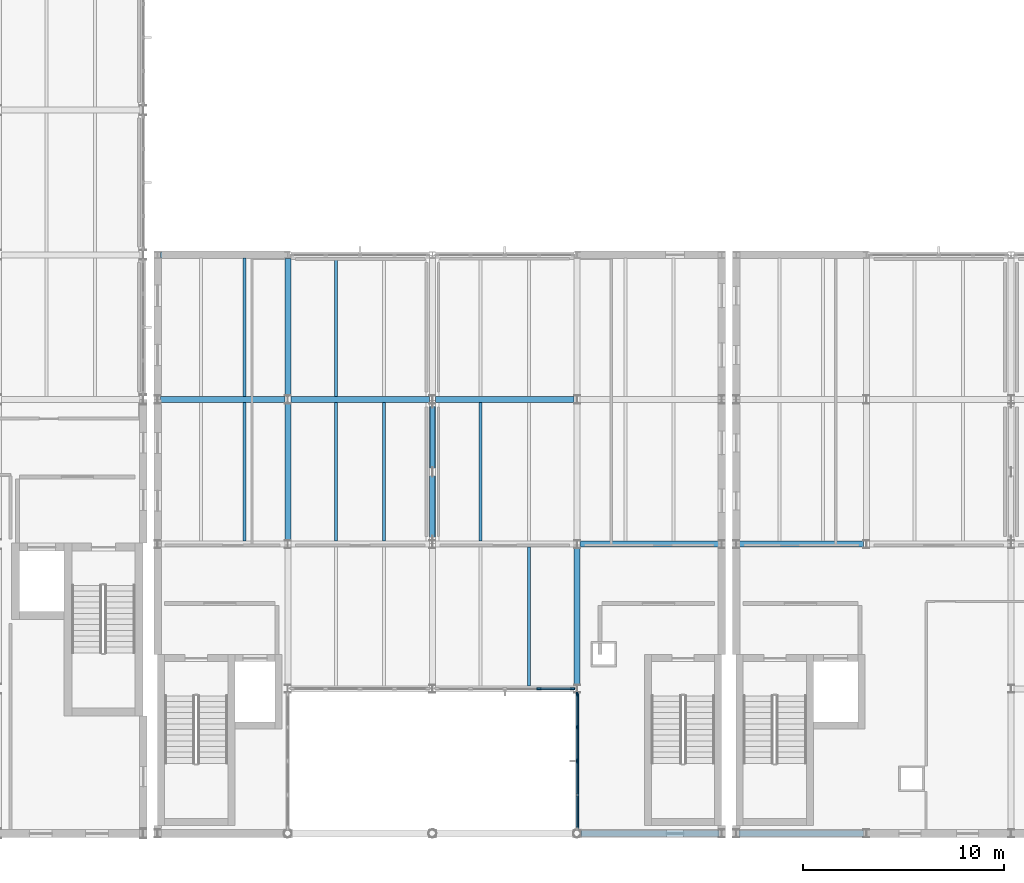
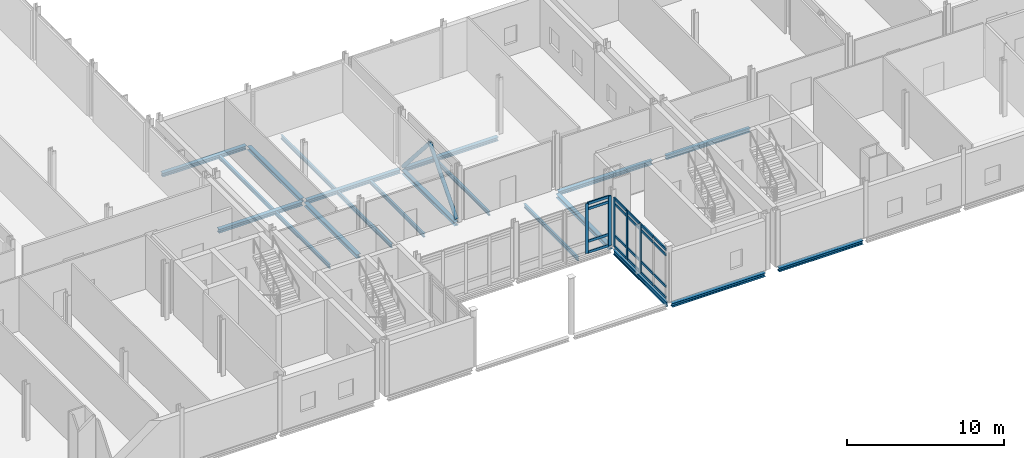
# One storey, part 15 of 76: 27 members, 20 beams, 2 elements without a shape of their own.
"""IFC4 building model written with IfcOpenShell, lengths in metres."""

from ifc_helpers import new_model, si_unit, direction, frame, origin, origin_2d, place, context, subcontext, project, spatial, rectangle, hollow_circle, i_section, extrude, material, layer, layer_set, material_profile, profile_set, type_object, element, aggregate, save


model = new_model("IFC4")

# Units and contexts
model_context = context("Model", 3, precision=1e-05, world=origin(), true_north=direction((0.0, 1.0)))
body_context = subcontext(model_context, "Body", "Model", "MODEL_VIEW")
ifc_project = project(units=[si_unit("LENGTHUNIT", "METRE"), si_unit("AREAUNIT", "SQUARE_METRE"), si_unit("VOLUMEUNIT", "CUBIC_METRE"), si_unit("PLANEANGLEUNIT", "RADIAN"), si_unit("MASSUNIT", "GRAM", prefix="KILO")], contexts=[model_context])

# Site, building, storey
site_placement = place(None, origin())
site = spatial("IfcSite", under=ifc_project, at=site_placement, CompositionType="ELEMENT")
building_placement = place(site_placement, origin())
building = spatial("IfcBuilding", under=site, at=building_placement, Name="Zarrinpeak Specialist Clinic", CompositionType="ELEMENT")
storey_placement = place(building_placement, frame((0.0, 0.0, 5.199951171875)))
storey = spatial("IfcBuildingStorey", under=building, at=storey_placement, Name="L01", CompositionType="ELEMENT", Elevation=5.199951171875)

# Beams
ifc_material_1 = material(Name="Steel S355", Category="steel")
ifc_material_profile_1 = material_profile(ifc_material_1, i_section(OverallWidth=0.300048828125, OverallDepth=0.2900390625, WebThickness=0.008544921875, FlangeThickness=0.013916015625, FilletRadius=0.027099609375, at=origin_2d()), Name="HEA 300")
ifc_profile_set_1 = profile_set([ifc_material_profile_1], Name="Steel S355")
beam_type_1 = type_object("IfcBeamType", Name="BM-HEA300", PredefinedType="BEAM", material=ifc_profile_set_1)
beam_1_placement = place(storey_placement, frame((50.601318359375, 0.0, -0.375), z_axis=(1.0, 0.0, 0.0), x_axis=(0.0, 1.0, 0.0)))
element("IfcBeam", 1, at=beam_1_placement, inside=storey, type_object=beam_type_1, Name="L01 Primary Floor Girder BM-L01-X0719", PredefinedType="BEAM", context=body_context, shape_type="SweptSolid", body=[
    extrude(i_section(OverallWidth=0.300048828125, OverallDepth=0.2900390625, WebThickness=0.008544921875, FlangeThickness=0.013916015625, FilletRadius=0.027099609375, at=origin_2d()), origin(), (0.0, 0.0, 1.0), 6.8505859375),
])
beam_2_placement = place(storey_placement, frame((58.468017578125, 0.0, -0.375), z_axis=(1.0, 0.0, 0.0), x_axis=(0.0, 1.0, 0.0)))
element("IfcBeam", 2, at=beam_2_placement, inside=storey, type_object=beam_type_1, Name="L01 Primary Floor Girder BM-L01-X0720", PredefinedType="BEAM", context=body_context, shape_type="SweptSolid", body=[
    extrude(i_section(OverallWidth=0.300048828125, OverallDepth=0.2900390625, WebThickness=0.008544921875, FlangeThickness=0.013916015625, FilletRadius=0.027099609375, at=origin_2d()), origin(), (0.0, 0.0, 1.0), 6.18408203125),
])
beam_3_placement = place(storey_placement, frame((50.548095703125, 14.39990234375, -0.375), z_axis=(1.0, 0.0, 0.0), x_axis=(0.0, 1.0, 0.0)))
element("IfcBeam", 3, at=beam_3_placement, inside=storey, type_object=beam_type_1, Name="L01 Primary Floor Girder BM-L01-X0734", PredefinedType="BEAM", context=body_context, shape_type="SweptSolid", body=[
    extrude(i_section(OverallWidth=0.300048828125, OverallDepth=0.2900390625, WebThickness=0.008544921875, FlangeThickness=0.013916015625, FilletRadius=0.027099609375, at=origin_2d()), origin(), (0.0, 0.0, 1.0), 6.90380859375),
])
for number, where, z_axis, x_axis, name in (
    (4, (58.468017578125, 14.39990234375, -0.375), (1.0, 0.0, 0.0), (0.0, 1.0, 0.0), "L01 Primary Floor Girder BM-L01-X0735"),
    (5, (29.66796875, 21.60009765625, -0.375), (1.0, 0.0, 0.0), (0.0, 1.0, 0.0), "L01 Primary Floor Girder BM-L01-X0743"),
):
    element("IfcBeam", number, at=place(storey_placement, frame(where, z_axis=z_axis, x_axis=x_axis)), inside=storey, type_object=beam_type_1, Name=name, PredefinedType="BEAM", context=body_context, shape_type="SweptSolid", body=[
        extrude(i_section(OverallWidth=0.300048828125, OverallDepth=0.2900390625, WebThickness=0.008544921875, FlangeThickness=0.013916015625, FilletRadius=0.027099609375, at=origin_2d()), origin(), (0.0, 0.0, 1.0), 6.18408203125),
    ])
for number, where, z_axis, x_axis, name in (
    (6, (36.14794921875, 21.60009765625, -0.375), (1.0, 0.0, 0.0), (0.0, 1.0, 0.0), "L01 Primary Floor Girder BM-L01-X0744"),
    (7, (43.347900390625, 21.60009765625, -0.375), (1.0, 0.0, 0.0), (0.0, 1.0, 0.0), "L01 Primary Floor Girder BM-L01-X0745"),
):
    element("IfcBeam", number, at=place(storey_placement, frame(where, z_axis=z_axis, x_axis=x_axis)), inside=storey, type_object=beam_type_1, Name=name, PredefinedType="BEAM", context=body_context, shape_type="SweptSolid", body=[
        extrude(i_section(OverallWidth=0.300048828125, OverallDepth=0.2900390625, WebThickness=0.008544921875, FlangeThickness=0.013916015625, FilletRadius=0.027099609375, at=origin_2d()), origin(), (0.0, 0.0, 1.0), 6.904052734375),
    ])
beam_4_placement = place(storey_placement, frame((29.66796875, 28.800048828125, -0.375), z_axis=(1.0, 0.0, 0.0), x_axis=(0.0, 1.0, 0.0)))
element("IfcBeam", 8, at=beam_4_placement, inside=storey, type_object=beam_type_1, Name="L01 Primary Floor Girder BM-L01-X0755", PredefinedType="BEAM", context=body_context, shape_type="SweptSolid", body=[
    extrude(i_section(OverallWidth=0.300048828125, OverallDepth=0.2900390625, WebThickness=0.008544921875, FlangeThickness=0.013916015625, FilletRadius=0.027099609375, at=origin_2d()), origin(), (0.0, 0.0, 1.0), 6.18408203125),
])
beam_5_placement = place(storey_placement, frame((36.0, 14.623046875, -0.375), z_axis=(0.0, 1.0, 0.0), x_axis=(-1.0, 0.0, 0.0)))
element("IfcBeam", 9, at=beam_5_placement, inside=storey, type_object=beam_type_1, Name="L01 Primary Beam BM-L01-Y0885", PredefinedType="BEAM", context=body_context, shape_type="SweptSolid", body=[
    extrude(i_section(OverallWidth=0.300048828125, OverallDepth=0.2900390625, WebThickness=0.008544921875, FlangeThickness=0.013916015625, FilletRadius=0.027099609375, at=origin_2d()), origin(), (0.0, 0.0, 1.0), 6.75390625),
])
beam_6_placement = place(storey_placement, frame((36.0, 21.822998046875, -0.375), z_axis=(0.0, 1.0, 0.0), x_axis=(-1.0, 0.0, 0.0)))
element("IfcBeam", 10, at=beam_6_placement, inside=storey, type_object=beam_type_1, Name="L01 Primary Beam BM-L01-Y0886", PredefinedType="BEAM", context=body_context, shape_type="SweptSolid", body=[
    extrude(i_section(OverallWidth=0.300048828125, OverallDepth=0.2900390625, WebThickness=0.008544921875, FlangeThickness=0.013916015625, FilletRadius=0.027099609375, at=origin_2d()), origin(), (0.0, 0.0, 1.0), 6.799072265625),
])
for number, where, z_axis, x_axis, name in (
    (11, (43.199951171875, 14.623046875, -0.375), (0.0, 1.0, 0.0), (-1.0, 0.0, 0.0), "L01 Primary Beam BM-L01-Y0891"),
    (12, (50.39990234375, 7.423095703125, -0.375), (0.0, 1.0, 0.0), (-1.0, 0.0, 0.0), "L01 Primary Beam BM-L01-Y0899"),
):
    element("IfcBeam", number, at=place(storey_placement, frame(where, z_axis=z_axis, x_axis=x_axis)), inside=storey, type_object=beam_type_1, Name=name, PredefinedType="BEAM", context=body_context, shape_type="SweptSolid", body=[
        extrude(i_section(OverallWidth=0.300048828125, OverallDepth=0.2900390625, WebThickness=0.008544921875, FlangeThickness=0.013916015625, FilletRadius=0.027099609375, at=origin_2d()), origin(), (0.0, 0.0, 1.0), 6.75390625),
    ])
ifc_material_profile_2 = material_profile(ifc_material_1, i_section(OverallWidth=0.14990234375, OverallDepth=0.300048828125, WebThickness=0.007080078125, FlangeThickness=0.0107421875, FilletRadius=0.014892578125, at=origin_2d()), Name="IPE 300")
ifc_profile_set_2 = profile_set([ifc_material_profile_2], Name="Steel S355")
beam_type_2 = type_object("IfcBeamType", Name="BM-JST300", PredefinedType="JOIST", material=ifc_profile_set_2)
beam_7_placement = place(storey_placement, frame((33.840087890625, 14.548095703125, -0.3798828125), z_axis=(0.0, 1.0, 0.0), x_axis=(-1.0, 0.0, 0.0)))
element("IfcBeam", 13, at=beam_7_placement, inside=storey, type_object=beam_type_2, Name="L01 Composite Floor Joist JST-L01-0990", PredefinedType="JOIST", context=body_context, shape_type="SweptSolid", body=[
    extrude(i_section(OverallWidth=0.14990234375, OverallDepth=0.300048828125, WebThickness=0.007080078125, FlangeThickness=0.0107421875, FilletRadius=0.014892578125, at=origin_2d()), origin(), (0.0, 0.0, 1.0), 6.90380859375),
])
beam_8_placement = place(storey_placement, frame((33.840087890625, 21.748046875, -0.3798828125), z_axis=(0.0, 1.0, 0.0), x_axis=(-1.0, 0.0, 0.0)))
element("IfcBeam", 14, at=beam_8_placement, inside=storey, type_object=beam_type_2, Name="L01 Composite Floor Joist JST-L01-0992", PredefinedType="JOIST", context=body_context, shape_type="SweptSolid", body=[
    extrude(i_section(OverallWidth=0.14990234375, OverallDepth=0.300048828125, WebThickness=0.007080078125, FlangeThickness=0.0107421875, FilletRadius=0.014892578125, at=origin_2d()), origin(), (0.0, 0.0, 1.0), 6.904052734375),
])
for number, where, z_axis, x_axis, name in (
    (15, (38.39990234375, 14.548095703125, -0.3798828125), (0.0, 1.0, 0.0), (-1.0, 0.0, 0.0), "L01 Composite Floor Joist JST-L01-0995"),
    (16, (40.800048828125, 14.548095703125, -0.3798828125), (0.0, 1.0, 0.0), (-1.0, 0.0, 0.0), "L01 Composite Floor Joist JST-L01-0996"),
):
    element("IfcBeam", number, at=place(storey_placement, frame(where, z_axis=z_axis, x_axis=x_axis)), inside=storey, type_object=beam_type_2, Name=name, PredefinedType="JOIST", context=body_context, shape_type="SweptSolid", body=[
        extrude(i_section(OverallWidth=0.14990234375, OverallDepth=0.300048828125, WebThickness=0.007080078125, FlangeThickness=0.0107421875, FilletRadius=0.014892578125, at=origin_2d()), origin(), (0.0, 0.0, 1.0), 6.90380859375),
    ])
for number, where, z_axis, x_axis, name in (
    (17, (38.39990234375, 21.748046875, -0.3798828125), (0.0, 1.0, 0.0), (-1.0, 0.0, 0.0), "L01 Composite Floor Joist JST-L01-0997"),
    (18, (48.0, 7.347900390625, -0.3798828125), (0.0, 1.0, 0.0), (-1.0, 0.0, 0.0), "L01 Composite Floor Joist JST-L01-1000"),
):
    element("IfcBeam", number, at=place(storey_placement, frame(where, z_axis=z_axis, x_axis=x_axis)), inside=storey, type_object=beam_type_2, Name=name, PredefinedType="JOIST", context=body_context, shape_type="SweptSolid", body=[
        extrude(i_section(OverallWidth=0.14990234375, OverallDepth=0.300048828125, WebThickness=0.007080078125, FlangeThickness=0.0107421875, FilletRadius=0.014892578125, at=origin_2d()), origin(), (0.0, 0.0, 1.0), 6.904052734375),
    ])
beam_9_placement = place(storey_placement, frame((45.60009765625, 14.548095703125, -0.3798828125), z_axis=(0.0, 1.0, 0.0), x_axis=(-1.0, 0.0, 0.0)))
element("IfcBeam", 19, at=beam_9_placement, inside=storey, type_object=beam_type_2, Name="L01 Composite Floor Joist JST-L01-1001", PredefinedType="JOIST", context=body_context, shape_type="SweptSolid", body=[
    extrude(i_section(OverallWidth=0.14990234375, OverallDepth=0.300048828125, WebThickness=0.007080078125, FlangeThickness=0.0107421875, FilletRadius=0.014892578125, at=origin_2d()), origin(), (0.0, 0.0, 1.0), 6.90380859375),
])
ifc_material_profile_3 = material_profile(ifc_material_1, i_section(OverallWidth=0.169921875, OverallDepth=0.360107421875, WebThickness=0.008056640625, FlangeThickness=0.0126953125, FilletRadius=0.01806640625, at=origin_2d()), Name="IPE 360")
ifc_profile_set_3 = profile_set([ifc_material_profile_3], Name="Steel S355")
beam_type_3 = type_object("IfcBeamType", Name="BM-SP360", PredefinedType="SPANDREL", material=ifc_profile_set_3)
beam_10_placement = place(storey_placement, frame((50.39990234375, 0.201171875, -0.409912109375), z_axis=(0.0, 1.0, 0.0), x_axis=(-1.0, 0.0, 0.0)))
element("IfcBeam", 20, at=beam_10_placement, inside=storey, type_object=beam_type_3, Name="L01 Perimeter Spandrel Beam BM-L01-Y0898", PredefinedType="SPANDREL", context=body_context, shape_type="SweptSolid", body=[
    extrude(i_section(OverallWidth=0.169921875, OverallDepth=0.360107421875, WebThickness=0.008056640625, FlangeThickness=0.0126953125, FilletRadius=0.01806640625, at=origin_2d()), origin(), (0.0, 0.0, 1.0), 6.77587890625),
])

# Curtain wall, members
ifc_material_2 = material(Name="Anodised Aluminium Alloy 6063-T6", Category="aluminium")
ifc_layer = layer(ifc_material_2, 0.18994140625)
ifc_layer_set = layer_set([ifc_layer], Name="Anodised Aluminium Alloy 6063-T6")
curtain_wall_type = type_object("IfcCurtainWallType", Name="CW-LOGGIA", PredefinedType="NOTDEFINED", material=ifc_layer_set)
curtain_wall_1_placement = place(storey_placement, origin())
curtain_wall_1 = element("IfcCurtainWall", 21, at=curtain_wall_1_placement, inside=storey, type_object=curtain_wall_type, Name="L01 V2 Unitised Curtain Wall CW-L01-V2-046", PredefinedType="NOTDEFINED")
ifc_material_profile_4 = material_profile(ifc_material_2, rectangle(XDim=0.090087890625, YDim=0.219970703125, at=origin_2d()), Name="ALU 90x220")
ifc_profile_set_4 = profile_set([ifc_material_profile_4], Name="Anodised Aluminium Alloy 6063-T6")
member_type_1 = type_object("IfcMemberType", Name="CWM-90", PredefinedType="MULLION", material=ifc_profile_set_4)
member_1_placement = place(storey_placement, frame((48.512451171875, 7.199951171875, 0.0), z_axis=(0.0, 0.0, 1.0), x_axis=(0.0, 1.0, 0.0)))
member_1 = element("IfcMember", 22, at=member_1_placement, type_object=member_type_1, Name="CW-04 mullion 4", PredefinedType="MULLION", context=body_context, shape_type="SweptSolid", body=[
    extrude(rectangle(XDim=0.090087890625, YDim=0.219970703125, at=origin_2d()), origin(), (0.0, 0.0, 1.0), 3.880126953125),
])
member_2_placement = place(storey_placement, frame((50.179931640625, 7.199951171875, 0.0), z_axis=(0.0, 0.0, 1.0), x_axis=(0.0, 1.0, 0.0)))
member_2 = element("IfcMember", 23, at=member_2_placement, type_object=member_type_1, Name="CW-04 mullion 5", PredefinedType="MULLION", context=body_context, shape_type="SweptSolid", body=[
    extrude(rectangle(XDim=0.090087890625, YDim=0.219970703125, at=origin_2d()), origin(), (0.0, 0.0, 1.0), 3.880126953125),
])

curtain_wall_2_placement = place(storey_placement, origin())
curtain_wall_2 = element("IfcCurtainWall", 24, at=curtain_wall_2_placement, inside=storey, type_object=curtain_wall_type, Name="L01 V2 Unitised Curtain Wall CW-L01-V2-048", PredefinedType="NOTDEFINED")
member_3_placement = place(storey_placement, frame((50.39990234375, 6.929931640625, 0.0), z_axis=(0.0, 0.0, 1.0), x_axis=(1.0, 0.0, 0.0)))
member_3 = element("IfcMember", 25, at=member_3_placement, type_object=member_type_1, Name="CW-04 mullion 1", PredefinedType="MULLION", context=body_context, shape_type="SweptSolid", body=[
    extrude(rectangle(XDim=0.090087890625, YDim=0.219970703125, at=origin_2d()), origin(), (0.0, 0.0, 1.0), 3.81005859375),
])
member_4_placement = place(storey_placement, frame((50.39990234375, 5.288330078125, 0.0), z_axis=(0.0, 0.0, 1.0), x_axis=(1.0, 0.0, 0.0)))
member_4 = element("IfcMember", 26, at=member_4_placement, type_object=member_type_1, Name="CW-04 mullion 2", PredefinedType="MULLION", context=body_context, shape_type="SweptSolid", body=[
    extrude(rectangle(XDim=0.090087890625, YDim=0.219970703125, at=origin_2d()), origin(), (0.0, 0.0, 1.0), 3.81005859375),
])
member_5_placement = place(storey_placement, frame((50.39990234375, 3.6015625, 0.0), z_axis=(0.0, 0.0, 1.0), x_axis=(1.0, 0.0, 0.0)))
member_5 = element("IfcMember", 27, at=member_5_placement, type_object=member_type_1, Name="CW-04 mullion 3", PredefinedType="MULLION", context=body_context, shape_type="SweptSolid", body=[
    extrude(rectangle(XDim=0.090087890625, YDim=0.219970703125, at=origin_2d()), origin(), (0.0, 0.0, 1.0), 3.81005859375),
])

# Member
ifc_material_profile_5 = material_profile(ifc_material_2, rectangle(XDim=0.090087890625, YDim=0.18994140625, at=origin_2d()), Name="ALU 90x190")
ifc_profile_set_5 = profile_set([ifc_material_profile_5], Name="Anodised Aluminium Alloy 6063-T6")
member_type_2 = type_object("IfcMemberType", Name="CWT-90", PredefinedType="USERDEFINED", material=ifc_profile_set_5)
member_6_placement = place(storey_placement, frame((48.5576171875, 7.199951171875, 0.045166015625), z_axis=(1.0, 0.0, 0.0), x_axis=(0.0, 1.0, 0.0)))
member_6 = element("IfcMember", 28, at=member_6_placement, type_object=member_type_2, Name="CW-04 transom 4.1", ObjectType="TRANSOM", PredefinedType="USERDEFINED", context=body_context, shape_type="SweptSolid", body=[
    extrude(rectangle(XDim=0.090087890625, YDim=0.18994140625, at=origin_2d()), origin(), (0.0, 0.0, 1.0), 1.577392578125),
])

member_7_placement = place(storey_placement, frame((48.5576171875, 7.199951171875, 0.900146484375), z_axis=(1.0, 0.0, 0.0), x_axis=(0.0, 1.0, 0.0)))
member_7 = element("IfcMember", 29, at=member_7_placement, type_object=member_type_2, Name="CW-04 transom 4.2", ObjectType="TRANSOM", PredefinedType="USERDEFINED", context=body_context, shape_type="SweptSolid", body=[
    extrude(rectangle(XDim=0.090087890625, YDim=0.18994140625, at=origin_2d()), origin(), (0.0, 0.0, 1.0), 1.577392578125),
])

member_8_placement = place(storey_placement, frame((48.5576171875, 7.199951171875, 3.429931640625), z_axis=(1.0, 0.0, 0.0), x_axis=(0.0, 1.0, 0.0)))
member_8 = element("IfcMember", 30, at=member_8_placement, type_object=member_type_2, Name="CW-04 transom 4.3", ObjectType="TRANSOM", PredefinedType="USERDEFINED", context=body_context, shape_type="SweptSolid", body=[
    extrude(rectangle(XDim=0.090087890625, YDim=0.18994140625, at=origin_2d()), origin(), (0.0, 0.0, 1.0), 1.577392578125),
])

member_9_placement = place(storey_placement, frame((48.5576171875, 7.199951171875, 3.8349609375), z_axis=(1.0, 0.0, 0.0), x_axis=(0.0, 1.0, 0.0)))
member_9 = element("IfcMember", 31, at=member_9_placement, type_object=member_type_2, Name="CW-04 transom 4.4", ObjectType="TRANSOM", PredefinedType="USERDEFINED", context=body_context, shape_type="SweptSolid", body=[
    extrude(rectangle(XDim=0.090087890625, YDim=0.18994140625, at=origin_2d()), origin(), (0.0, 0.0, 1.0), 1.577392578125),
])

aggregate(curtain_wall_1, [member_1, member_2, member_6, member_7, member_8, member_9])

member_10_placement = place(storey_placement, frame((50.39990234375, 6.885009765625, 0.045166015625), z_axis=(0.0, -1.0, 0.0), x_axis=(1.0, 0.0, 0.0)))
member_10 = element("IfcMember", 32, at=member_10_placement, type_object=member_type_2, Name="CW-04 transom 1.1", ObjectType="TRANSOM", PredefinedType="USERDEFINED", context=body_context, shape_type="SweptSolid", body=[
    extrude(rectangle(XDim=0.090087890625, YDim=0.18994140625, at=origin_2d()), origin(), (0.0, 0.0, 1.0), 1.5517578125),
])

member_11_placement = place(storey_placement, frame((50.39990234375, 6.885009765625, 0.900146484375), z_axis=(0.0, -1.0, 0.0), x_axis=(1.0, 0.0, 0.0)))
member_11 = element("IfcMember", 33, at=member_11_placement, type_object=member_type_2, Name="CW-04 transom 1.2", ObjectType="TRANSOM", PredefinedType="USERDEFINED", context=body_context, shape_type="SweptSolid", body=[
    extrude(rectangle(XDim=0.090087890625, YDim=0.18994140625, at=origin_2d()), origin(), (0.0, 0.0, 1.0), 1.5517578125),
])

member_12_placement = place(storey_placement, frame((50.39990234375, 6.885009765625, 3.360107421875), z_axis=(0.0, -1.0, 0.0), x_axis=(1.0, 0.0, 0.0)))
member_12 = element("IfcMember", 34, at=member_12_placement, type_object=member_type_2, Name="CW-04 transom 1.3", ObjectType="TRANSOM", PredefinedType="USERDEFINED", context=body_context, shape_type="SweptSolid", body=[
    extrude(rectangle(XDim=0.090087890625, YDim=0.18994140625, at=origin_2d()), origin(), (0.0, 0.0, 1.0), 1.5517578125),
])

member_13_placement = place(storey_placement, frame((50.39990234375, 6.885009765625, 3.76513671875), z_axis=(0.0, -1.0, 0.0), x_axis=(1.0, 0.0, 0.0)))
member_13 = element("IfcMember", 35, at=member_13_placement, type_object=member_type_2, Name="CW-04 transom 1.4", ObjectType="TRANSOM", PredefinedType="USERDEFINED", context=body_context, shape_type="SweptSolid", body=[
    extrude(rectangle(XDim=0.090087890625, YDim=0.18994140625, at=origin_2d()), origin(), (0.0, 0.0, 1.0), 1.5517578125),
])

member_14_placement = place(storey_placement, frame((50.39990234375, 5.243408203125, 0.045166015625), z_axis=(0.0, -1.0, 0.0), x_axis=(1.0, 0.0, 0.0)))
member_14 = element("IfcMember", 36, at=member_14_placement, type_object=member_type_2, Name="CW-04 transom 2.1", ObjectType="TRANSOM", PredefinedType="USERDEFINED", context=body_context, shape_type="SweptSolid", body=[
    extrude(rectangle(XDim=0.090087890625, YDim=0.18994140625, at=origin_2d()), origin(), (0.0, 0.0, 1.0), 1.596923828125),
])

member_15_placement = place(storey_placement, frame((50.39990234375, 5.243408203125, 0.900146484375), z_axis=(0.0, -1.0, 0.0), x_axis=(1.0, 0.0, 0.0)))
member_15 = element("IfcMember", 37, at=member_15_placement, type_object=member_type_2, Name="CW-04 transom 2.2", ObjectType="TRANSOM", PredefinedType="USERDEFINED", context=body_context, shape_type="SweptSolid", body=[
    extrude(rectangle(XDim=0.090087890625, YDim=0.18994140625, at=origin_2d()), origin(), (0.0, 0.0, 1.0), 1.596923828125),
])

member_16_placement = place(storey_placement, frame((50.39990234375, 5.243408203125, 3.360107421875), z_axis=(0.0, -1.0, 0.0), x_axis=(1.0, 0.0, 0.0)))
member_16 = element("IfcMember", 38, at=member_16_placement, type_object=member_type_2, Name="CW-04 transom 2.3", ObjectType="TRANSOM", PredefinedType="USERDEFINED", context=body_context, shape_type="SweptSolid", body=[
    extrude(rectangle(XDim=0.090087890625, YDim=0.18994140625, at=origin_2d()), origin(), (0.0, 0.0, 1.0), 1.596923828125),
])

member_17_placement = place(storey_placement, frame((50.39990234375, 5.243408203125, 3.76513671875), z_axis=(0.0, -1.0, 0.0), x_axis=(1.0, 0.0, 0.0)))
member_17 = element("IfcMember", 39, at=member_17_placement, type_object=member_type_2, Name="CW-04 transom 2.4", ObjectType="TRANSOM", PredefinedType="USERDEFINED", context=body_context, shape_type="SweptSolid", body=[
    extrude(rectangle(XDim=0.090087890625, YDim=0.18994140625, at=origin_2d()), origin(), (0.0, 0.0, 1.0), 1.596923828125),
])

member_18_placement = place(storey_placement, frame((50.39990234375, 3.556640625, 0.045166015625), z_axis=(0.0, -1.0, 0.0), x_axis=(1.0, 0.0, 0.0)))
member_18 = element("IfcMember", 40, at=member_18_placement, type_object=member_type_2, Name="CW-04 transom 3.1", ObjectType="TRANSOM", PredefinedType="USERDEFINED", context=body_context, shape_type="SweptSolid", body=[
    extrude(rectangle(XDim=0.090087890625, YDim=0.18994140625, at=origin_2d()), origin(), (0.0, 0.0, 1.0), 1.5966796875),
])

member_19_placement = place(storey_placement, frame((50.39990234375, 3.556640625, 0.900146484375), z_axis=(0.0, -1.0, 0.0), x_axis=(1.0, 0.0, 0.0)))
member_19 = element("IfcMember", 41, at=member_19_placement, type_object=member_type_2, Name="CW-04 transom 3.2", ObjectType="TRANSOM", PredefinedType="USERDEFINED", context=body_context, shape_type="SweptSolid", body=[
    extrude(rectangle(XDim=0.090087890625, YDim=0.18994140625, at=origin_2d()), origin(), (0.0, 0.0, 1.0), 1.5966796875),
])

member_20_placement = place(storey_placement, frame((50.39990234375, 3.556640625, 3.360107421875), z_axis=(0.0, -1.0, 0.0), x_axis=(1.0, 0.0, 0.0)))
member_20 = element("IfcMember", 42, at=member_20_placement, type_object=member_type_2, Name="CW-04 transom 3.3", ObjectType="TRANSOM", PredefinedType="USERDEFINED", context=body_context, shape_type="SweptSolid", body=[
    extrude(rectangle(XDim=0.090087890625, YDim=0.18994140625, at=origin_2d()), origin(), (0.0, 0.0, 1.0), 1.5966796875),
])

member_21_placement = place(storey_placement, frame((50.39990234375, 3.556640625, 3.76513671875), z_axis=(0.0, -1.0, 0.0), x_axis=(1.0, 0.0, 0.0)))
member_21 = element("IfcMember", 43, at=member_21_placement, type_object=member_type_2, Name="CW-04 transom 3.4", ObjectType="TRANSOM", PredefinedType="USERDEFINED", context=body_context, shape_type="SweptSolid", body=[
    extrude(rectangle(XDim=0.090087890625, YDim=0.18994140625, at=origin_2d()), origin(), (0.0, 0.0, 1.0), 1.5966796875),
])

member_22_placement = place(storey_placement, frame((50.39990234375, 1.869873046875, 0.045166015625), z_axis=(0.0, -1.0, 0.0), x_axis=(1.0, 0.0, 0.0)))
member_22 = element("IfcMember", 44, at=member_22_placement, type_object=member_type_2, Name="CW-04 transom 4.1", ObjectType="TRANSOM", PredefinedType="USERDEFINED", context=body_context, shape_type="SweptSolid", body=[
    extrude(rectangle(XDim=0.090087890625, YDim=0.18994140625, at=origin_2d()), origin(), (0.0, 0.0, 1.0), 1.5517578125),
])

member_23_placement = place(storey_placement, frame((50.39990234375, 1.869873046875, 0.900146484375), z_axis=(0.0, -1.0, 0.0), x_axis=(1.0, 0.0, 0.0)))
member_23 = element("IfcMember", 45, at=member_23_placement, type_object=member_type_2, Name="CW-04 transom 4.2", ObjectType="TRANSOM", PredefinedType="USERDEFINED", context=body_context, shape_type="SweptSolid", body=[
    extrude(rectangle(XDim=0.090087890625, YDim=0.18994140625, at=origin_2d()), origin(), (0.0, 0.0, 1.0), 1.5517578125),
])

member_24_placement = place(storey_placement, frame((50.39990234375, 1.869873046875, 3.360107421875), z_axis=(0.0, -1.0, 0.0), x_axis=(1.0, 0.0, 0.0)))
member_24 = element("IfcMember", 46, at=member_24_placement, type_object=member_type_2, Name="CW-04 transom 4.3", ObjectType="TRANSOM", PredefinedType="USERDEFINED", context=body_context, shape_type="SweptSolid", body=[
    extrude(rectangle(XDim=0.090087890625, YDim=0.18994140625, at=origin_2d()), origin(), (0.0, 0.0, 1.0), 1.5517578125),
])

member_25_placement = place(storey_placement, frame((50.39990234375, 1.869873046875, 3.76513671875), z_axis=(0.0, -1.0, 0.0), x_axis=(1.0, 0.0, 0.0)))
member_25 = element("IfcMember", 47, at=member_25_placement, type_object=member_type_2, Name="CW-04 transom 4.4", ObjectType="TRANSOM", PredefinedType="USERDEFINED", context=body_context, shape_type="SweptSolid", body=[
    extrude(rectangle(XDim=0.090087890625, YDim=0.18994140625, at=origin_2d()), origin(), (0.0, 0.0, 1.0), 1.5517578125),
])

aggregate(curtain_wall_2, [member_3, member_4, member_5, member_10, member_11, member_12, member_13, member_14, member_15, member_16, member_17, member_18, member_19, member_20, member_21, member_22, member_23, member_24, member_25])

# Members
ifc_material_profile_6 = material_profile(ifc_material_1, hollow_circle(Radius=0.136474609375, WallThickness=0.012451171875, at=origin_2d()), Name="CHS 273.0x12.5")
ifc_profile_set_6 = profile_set([ifc_material_profile_6], Name="Steel S355")
member_type_3 = type_object("IfcMemberType", Name="MB-BR273", PredefinedType="BRACE", material=ifc_profile_set_6)
for number, where, z_axis, x_axis, name in (
    (48, (43.199951171875, 14.60009765625, 0.005126953125), (0.0, 0.658093002133, 0.752936651083), (-1.0, 0.0, 0.0), "V2 L01 Seismic Concentric Brace CBF-017"),
    (49, (43.199951171875, 21.39990234375, 0.005126953125), (0.0, -0.658093002133, 0.752936651083), (1.0, 0.0, 0.0), "V2 L01 Seismic Concentric Brace CBF-018"),
):
    element("IfcMember", number, at=place(storey_placement, frame(where, z_axis=z_axis, x_axis=x_axis)), inside=storey, type_object=member_type_3, Name=name, PredefinedType="BRACE", context=body_context, shape_type="SweptSolid", body=[
        extrude(hollow_circle(Radius=0.136474609375, WallThickness=0.012451171875, at=origin_2d()), origin(), (0.0, 0.0, 1.0), 5.166259765625),
    ])

save(model, "model.ifc")
